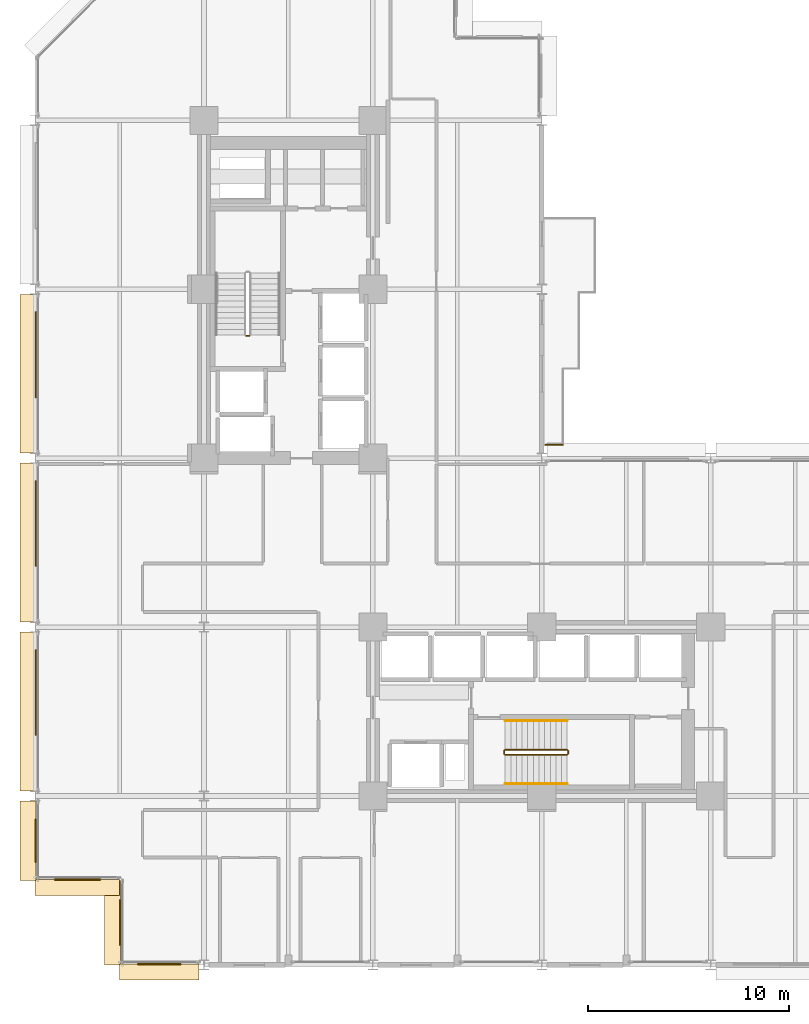
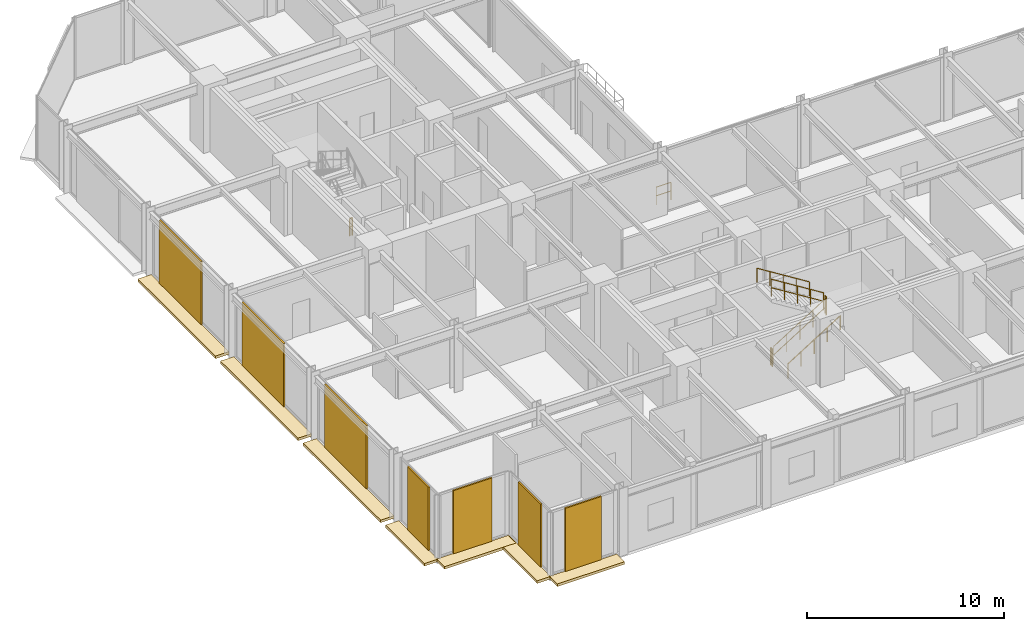
# One storey, part 23 of 25: 14 coverings, 8 railings.
"""IFC4 building model written with IfcOpenShell, lengths in metres."""

import ifcopenshell
import ifcopenshell.guid

model = None  # the IFC model being written
_history = None  # IfcOwnerHistory: only IFC2X3 demands one
_inside = {}  # id of a spatial element -> (the spatial element, [elements in it])
_under = {}  # id of a project, library or spatial element -> (it, [spatial elements below it])
_declared = {}  # id of a project -> (the project, [libraries it declares])
_typed = {}  # id of a type object -> (the type object, [elements of that type])
_made_of = {}  # id of a material, layer set ... -> (it, [elements and type objects made of it])


def new_model(schema):
    """Start an empty IFC model of exactly this schema.

    Asked for "IFC4X3", IfcOpenShell would pick the latest addendum, in which some entities
    have other attributes; the version numbers below select the first issue.
    IFC2X3 requires an IfcOwnerHistory on every rooted entity: one is made here for all.
    """
    global model, _history
    if schema == "IFC4X3":
        model = ifcopenshell.file(schema_version=(4, 3, 0, 0))
    else:
        model = ifcopenshell.file(schema=schema)
    _inside.clear()
    _under.clear()
    _declared.clear()
    _typed.clear()
    _made_of.clear()
    _history = None
    if model.schema == "IFC2X3":
        org = make("IfcOrganization", Name="unknown")
        user = make(
            "IfcPersonAndOrganization",
            ThePerson=make("IfcPerson", FamilyName="unknown"),
            TheOrganization=org,
        )
        app = make(
            "IfcApplication",
            ApplicationDeveloper=org,
            Version="unknown",
            ApplicationFullName="unknown",
            ApplicationIdentifier="unknown",
        )
        _history = make(
            "IfcOwnerHistory",
            OwningUser=user,
            OwningApplication=app,
            ChangeAction="ADDED",
            CreationDate=0,
        )
    return model


def make(cls, **values):
    """One entity of the class cls with the attributes given. An attribute that is None is left unset."""
    return model.create_entity(
        cls, **{name: value for name, value in values.items() if value is not None}
    )


def rooted(cls, **values):
    """An entity with a GlobalId (a new one), such as an element, a storey or a relation."""
    return make(cls, GlobalId=ifcopenshell.guid.new(), OwnerHistory=_history, **values)


def si_unit(unit_type, name, prefix=None):
    """IfcSIUnit, for example si_unit("LENGTHUNIT", "METRE", prefix="MILLI")."""
    return make("IfcSIUnit", UnitType=unit_type, Prefix=prefix, Name=name)


def assignment(units):
    """IfcUnitAssignment: the units of a project."""
    return None if units is None else make("IfcUnitAssignment", Units=units)


def point(xyz):
    """IfcCartesianPoint."""
    return None if xyz is None else make("IfcCartesianPoint", Coordinates=xyz)


def direction(xyz):
    """IfcDirection."""
    return None if xyz is None else make("IfcDirection", DirectionRatios=xyz)


def frame(location, z_axis=None, x_axis=None):
    """IfcAxis2Placement3D, a coordinate frame: its origin and axes. An axis left out is left unset."""
    return make(
        "IfcAxis2Placement3D",
        Location=point(location),
        Axis=direction(z_axis),
        RefDirection=direction(x_axis),
    )


def frame_2d(location, x_axis=None):
    """IfcAxis2Placement2D, a coordinate frame in the plane: its origin and x axis."""
    return make(
        "IfcAxis2Placement2D", Location=point(location), RefDirection=direction(x_axis)
    )


def origin():
    """The frame at (0, 0, 0) with its axes left unset."""
    return frame((0.0, 0.0, 0.0))


def origin_2d():
    """The frame at (0, 0) in the plane with its x axis left unset."""
    return frame_2d((0.0, 0.0))


def place(relative_to, where):
    """IfcLocalPlacement: puts the frame where relative to a parent placement (None: the world)."""
    return make(
        "IfcLocalPlacement", PlacementRelTo=relative_to, RelativePlacement=where
    )


def context(
    kind, dimensions, precision=None, world=None, true_north=None, identifier=None
):
    """IfcGeometricRepresentationContext, for example the 3D "Model" context."""
    return make(
        "IfcGeometricRepresentationContext",
        ContextIdentifier=identifier,
        ContextType=kind,
        CoordinateSpaceDimension=dimensions,
        Precision=precision,
        WorldCoordinateSystem=world,
        TrueNorth=true_north,
    )


def subcontext(parent, identifier, kind, view, scale=None):
    """IfcGeometricRepresentationSubContext, for example "Body" below "Model"."""
    return make(
        "IfcGeometricRepresentationSubContext",
        ContextIdentifier=identifier,
        ContextType=kind,
        ParentContext=parent,
        TargetScale=scale,
        TargetView=view,
    )


def project(units=None, contexts=None):
    """IfcProject with its units and contexts."""
    return rooted(
        "IfcProject",
        Name="project",
        RepresentationContexts=contexts,
        UnitsInContext=assignment(units),
    )


def spatial(cls, under=None, at=None, **own):
    """A site, building, storey or space (cls), placed at a placement, below another one or the project."""
    s = rooted(cls, ObjectPlacement=at, **own)
    if under is not None:
        _under.setdefault(under.id(), (under, []))[1].append(s)
    return s


def polyline(points):
    """IfcPolyline through the points."""
    return make("IfcPolyline", Points=[point(p) for p in points])


def profile(cls, at=None, kind="AREA", **sizes):
    """A parametric profile (cls). Its sizes go by their IFC names, for example OverallWidth=200.0."""
    return make(cls, ProfileType=kind, Position=at, **sizes)


def rectangle(**sizes):
    """IfcRectangleProfileDef."""
    return profile("IfcRectangleProfileDef", **sizes)


def circle(**sizes):
    """IfcCircleProfileDef."""
    return profile("IfcCircleProfileDef", **sizes)


def outline(outer, holes=None, kind="AREA"):
    """IfcArbitraryClosedProfileDef: a profile drawn as a closed curve; with holes, ...WithVoids."""
    if holes is None:
        return make("IfcArbitraryClosedProfileDef", ProfileType=kind, OuterCurve=outer)
    return make(
        "IfcArbitraryProfileDefWithVoids",
        ProfileType=kind,
        OuterCurve=outer,
        InnerCurves=holes,
    )


def extrude(swept, where, along, depth):
    """IfcExtrudedAreaSolid: the profile swept, set in the frame where, extruded along a direction by depth."""
    return make(
        "IfcExtrudedAreaSolid",
        SweptArea=swept,
        Position=where,
        ExtrudedDirection=direction(along),
        Depth=depth,
    )


def shape(context_of_items, identifier, shape_type, items):
    """IfcShapeRepresentation: the items that make up one representation, for example the "Body"."""
    return make(
        "IfcShapeRepresentation",
        ContextOfItems=context_of_items,
        RepresentationIdentifier=identifier,
        RepresentationType=shape_type,
        Items=items,
    )


def material(Name=None, Category=None):
    """IfcMaterial."""
    return make("IfcMaterial", Name=Name, Category=Category)


def layer(
    of_material, thickness, ventilated=None, Name=None, Category=None, Priority=None
):
    """IfcMaterialLayer: one layer of a wall or slab, of a material (None: an air gap)."""
    return make(
        "IfcMaterialLayer",
        Material=of_material,
        LayerThickness=thickness,
        IsVentilated=ventilated,
        Name=Name,
        Category=Category,
        Priority=Priority,
    )


def layer_set(layers, Name=None):
    """IfcMaterialLayerSet."""
    return make("IfcMaterialLayerSet", MaterialLayers=layers, LayerSetName=Name)


def made_of(thing, what):
    """Note that an element or type object is made of a material, layer set ...; save() writes the relation."""
    if what is not None:
        _made_of.setdefault(what.id(), (what, []))[1].append(thing)
    return thing


def type_object(cls, material=None, **own):
    """A type object (cls), such as IfcWallType, which elements share."""
    return made_of(rooted(cls, **own), material)


def element(
    cls,
    number,
    at=None,
    inside=None,
    cuts=None,
    type_object=None,
    material=None,
    context=None,
    identifier="Body",
    shape_type=None,
    held_by="IfcProductDefinitionShape",
    body=None,
    shapes=None,
    **own,
):
    """One element of the class cls, such as IfcWall. Its Tag is "e" and its number.

    at: its placement. inside: the storey or other place that contains it. cuts: it is an
    opening in that element (IfcRelVoidsElement). A single representation is given by context,
    identifier, shape_type and body (its items); several are given by shapes. held_by: the class
    of the entity that holds the representations. save() writes the other relations.
    """
    e = rooted(cls, Tag="e%d" % number, ObjectPlacement=at, **own)
    if body is not None:
        shapes = [shape(context, identifier, shape_type, body)]
    if shapes is not None:
        e.Representation = make(held_by, Representations=shapes)
    if inside is not None:
        _inside.setdefault(inside.id(), (inside, []))[1].append(e)
    if cuts is not None:
        rooted(
            "IfcRelVoidsElement", RelatingBuildingElement=cuts, RelatedOpeningElement=e
        )
    if type_object is not None:
        _typed.setdefault(type_object.id(), (type_object, []))[1].append(e)
    return made_of(e, material)


def aggregate(whole, parts):
    """IfcRelAggregates: a whole, such as a stair, and the parts it consists of."""
    return rooted("IfcRelAggregates", RelatingObject=whole, RelatedObjects=parts)


def save(model, path):
    """Write the relations noted so far, then the file.

    IfcRelAggregates (storeys below a building ...), IfcRelContainedInSpatialStructure (elements
    in a storey), IfcRelDefinesByType, IfcRelAssociatesMaterial and IfcRelDeclares: one each for
    every whole, place, type object, material and project.
    """
    for whole, parts in _under.values():
        aggregate(whole, parts)
    for where, things in _inside.values():
        rooted(
            "IfcRelContainedInSpatialStructure",
            RelatedElements=things,
            RelatingStructure=where,
        )
    for kind, things in _typed.values():
        rooted("IfcRelDefinesByType", RelatedObjects=things, RelatingType=kind)
    for what, things in _made_of.values():
        rooted("IfcRelAssociatesMaterial", RelatedObjects=things, RelatingMaterial=what)
    for by, libraries in _declared.values():
        rooted("IfcRelDeclares", RelatingContext=by, RelatedDefinitions=libraries)
    model.write(path)


model = new_model("IFC4")

# Units and contexts
model_context = context("Model", 3, precision=1e-05, world=origin(), true_north=direction((0.0, 1.0)))
body_context = subcontext(model_context, "Body", "Model", "MODEL_VIEW")
ifc_project = project(units=[si_unit("LENGTHUNIT", "METRE"), si_unit("AREAUNIT", "SQUARE_METRE"), si_unit("VOLUMEUNIT", "CUBIC_METRE"), si_unit("PLANEANGLEUNIT", "RADIAN"), si_unit("MASSUNIT", "GRAM", prefix="KILO")], contexts=[model_context])

# Site, building, storey
site_placement = place(None, origin())
site = spatial("IfcSite", under=ifc_project, at=site_placement, CompositionType="ELEMENT")
building_placement = place(site_placement, origin())
building = spatial("IfcBuilding", under=site, at=building_placement, Name="Nerrivon Quay Data Exchange", CompositionType="ELEMENT")
storey_placement = place(building_placement, frame((0.0, 0.0, 41.60009765625)))
storey = spatial("IfcBuildingStorey", under=building, at=storey_placement, Name="L09", CompositionType="ELEMENT", Elevation=41.60009765625)

# Coverings
ifc_material_1 = material(Name="Architectural terracotta ceramic", Category="masonry")
ifc_layer_1 = layer(ifc_material_1, 0.159912109375)
ifc_layer_set_1 = layer_set([ifc_layer_1], Name="Architectural terracotta ceramic")
covering_type_1 = type_object("IfcCoveringType", Name="COV-BLD-TERR", PredefinedType="CLADDING", material=ifc_layer_set_1)
covering_1_placement = place(storey_placement, frame((0.0, 0.0, -0.16015625)))
element("IfcCovering", 1, at=covering_1_placement, inside=storey, type_object=covering_type_1, Name="L09 Horizontal Terracotta SOLAR SCREEN Blade", PredefinedType="CLADDING", context=body_context, shape_type="SweptSolid", body=[
    extrude(outline(polyline([(8.14990234375, 0.0400390625), (4.199951171875, 0.0400390625), (4.199951171875, -0.75), (8.14990234375, -0.75), (8.14990234375, 0.0400390625)])), origin(), (0.0, 0.0, 1.0), 0.16015625),
])
covering_2_placement = place(storey_placement, frame((0.0, 0.0, -0.16015625)))
element("IfcCovering", 2, at=covering_2_placement, inside=storey, type_object=covering_type_1, Name="L09 Horizontal Terracotta SOLAR SCREEN Blade", PredefinedType="CLADDING", context=body_context, shape_type="SweptSolid", body=[
    extrude(outline(polyline([(4.239990234375, 0.0), (4.239990234375, 4.199951171875), (3.449951171875, 4.199951171875), (3.449951171875, 0.0), (4.239990234375, 0.0)])), origin(), (0.0, 0.0, 1.0), 0.16015625),
])
covering_3_placement = place(storey_placement, frame((0.0, 0.0, -0.16015625)))
element("IfcCovering", 3, at=covering_3_placement, inside=storey, type_object=covering_type_1, Name="L09 Horizontal Terracotta SOLAR SCREEN Blade", PredefinedType="CLADDING", context=body_context, shape_type="SweptSolid", body=[
    extrude(outline(polyline([(4.199951171875, 4.239990234375), (0.0, 4.239990234375), (0.0, 3.449951171875), (4.199951171875, 3.449951171875), (4.199951171875, 4.239990234375)])), origin(), (0.0, 0.0, 1.0), 0.16015625),
])
covering_4_placement = place(storey_placement, frame((0.0, 0.0, -0.16015625)))
element("IfcCovering", 4, at=covering_4_placement, inside=storey, type_object=covering_type_1, Name="L09 Horizontal Terracotta SOLAR SCREEN Blade", PredefinedType="CLADDING", context=body_context, shape_type="SweptSolid", body=[
    extrude(outline(polyline([(0.0400390625, 4.199951171875), (0.0400390625, 8.14990234375), (-0.75, 8.14990234375), (-0.75, 4.199951171875), (0.0400390625, 4.199951171875)])), origin(), (0.0, 0.0, 1.0), 0.16015625),
])
covering_5_placement = place(storey_placement, frame((0.0, 0.0, -0.16015625)))
element("IfcCovering", 5, at=covering_5_placement, inside=storey, type_object=covering_type_1, Name="L09 Horizontal Terracotta SOLAR SCREEN Blade", PredefinedType="CLADDING", context=body_context, shape_type="SweptSolid", body=[
    extrude(outline(polyline([(0.0400390625, 8.64990234375), (0.0400390625, 16.550048828125), (-0.75, 16.550048828125), (-0.75, 8.64990234375), (0.0400390625, 8.64990234375)])), origin(), (0.0, 0.0, 1.0), 0.16015625),
])
covering_6_placement = place(storey_placement, frame((0.0, 0.0, -0.16015625)))
element("IfcCovering", 6, at=covering_6_placement, inside=storey, type_object=covering_type_1, Name="L09 Horizontal Terracotta SOLAR SCREEN Blade", PredefinedType="CLADDING", context=body_context, shape_type="SweptSolid", body=[
    extrude(outline(polyline([(0.0400390625, 17.050048828125), (0.0400390625, 24.949951171875), (-0.75, 24.949951171875), (-0.75, 17.050048828125), (0.0400390625, 17.050048828125)])), origin(), (0.0, 0.0, 1.0), 0.16015625),
])
covering_7_placement = place(storey_placement, frame((0.0, 0.0, -0.16015625)))
element("IfcCovering", 7, at=covering_7_placement, inside=storey, type_object=covering_type_1, Name="L09 Horizontal Terracotta SOLAR SCREEN Blade", PredefinedType="CLADDING", context=body_context, shape_type="SweptSolid", body=[
    extrude(outline(polyline([(0.0400390625, 25.449951171875), (0.0400390625, 33.35009765625), (-0.75, 33.35009765625), (-0.75, 25.449951171875), (0.0400390625, 25.449951171875)])), origin(), (0.0, 0.0, 1.0), 0.16015625),
])
ifc_layer_2 = layer(ifc_material_1, 0.090087890625)
ifc_layer_set_2 = layer_set([ifc_layer_2], Name="Architectural terracotta ceramic")
covering_type_2 = type_object("IfcCoveringType", Name="COV-SCR-TERR", PredefinedType="CLADDING", material=ifc_layer_set_2)
covering_8_placement = place(storey_placement, frame((6.175048828125, 0.044921875, 0.0), z_axis=(0.0, 0.0, 1.0), x_axis=(-1.0, 0.0, 0.0)))
element("IfcCovering", 8, at=covering_8_placement, inside=storey, type_object=covering_type_2, Name="L09 Perforated Terracotta SOLAR SCREEN Cassette", PredefinedType="CLADDING", context=body_context, shape_type="SweptSolid", body=[
    extrude(rectangle(XDim=2.133056640625, YDim=0.090087890625, at=origin_2d()), origin(), (0.0, 0.0, 1.0), 3.925048828125),
])
for number, where, z_axis, x_axis, name in (
    (9, (4.2451171875, 2.10009765625, 0.0), (0.0, 0.0, 1.0), (0.0, 1.0, 0.0), "L09 Perforated Terracotta SOLAR SCREEN Cassette"),
    (10, (2.10009765625, 4.2451171875, 0.0), (0.0, 0.0, 1.0), (-1.0, 0.0, 0.0), "L09 Perforated Terracotta SOLAR SCREEN Cassette"),
):
    element("IfcCovering", number, at=place(storey_placement, frame(where, z_axis=z_axis, x_axis=x_axis)), inside=storey, type_object=covering_type_2, Name=name, PredefinedType="CLADDING", context=body_context, shape_type="SweptSolid", body=[
        extrude(rectangle(XDim=2.26806640625, YDim=0.090087890625, at=origin_2d()), origin(), (0.0, 0.0, 1.0), 3.925048828125),
    ])
covering_9_placement = place(storey_placement, frame((0.044921875, 6.175048828125, 0.0), z_axis=(0.0, 0.0, 1.0), x_axis=(0.0, 1.0, 0.0)))
element("IfcCovering", 11, at=covering_9_placement, inside=storey, type_object=covering_type_2, Name="L09 Perforated Terracotta SOLAR SCREEN Cassette", PredefinedType="CLADDING", context=body_context, shape_type="SweptSolid", body=[
    extrude(rectangle(XDim=2.133056640625, YDim=0.090087890625, at=origin_2d()), origin(), (0.0, 0.0, 1.0), 3.925048828125),
])
for number, where, z_axis, x_axis, name in (
    (12, (0.044921875, 13.548095703125, 0.0), (0.0, 0.0, 1.0), (0.0, 1.0, 0.0), "L09 Perforated Terracotta SOLAR SCREEN Cassette"),
    (13, (0.044921875, 21.947998046875, 0.0), (0.0, 0.0, 1.0), (0.0, 1.0, 0.0), "L09 Perforated Terracotta SOLAR SCREEN Cassette"),
    (14, (0.044921875, 30.347900390625, 0.0), (0.0, 0.0, 1.0), (0.0, 1.0, 0.0), "L09 Perforated Terracotta SOLAR SCREEN Cassette"),
):
    element("IfcCovering", number, at=place(storey_placement, frame(where, z_axis=z_axis, x_axis=x_axis)), inside=storey, type_object=covering_type_2, Name=name, PredefinedType="CLADDING", context=body_context, shape_type="SweptSolid", body=[
        extrude(rectangle(XDim=4.26611328125, YDim=0.090087890625, at=origin_2d()), origin(), (0.0, 0.0, 1.0), 3.925048828125),
    ])

# Railings
ifc_material_2 = material(Name="Steel Grade C350L0 (350 MPa)", Category="steel")
railing_type_1 = type_object("IfcRailingType", Name="RAIL-GUARD-GR2", PredefinedType="BALUSTRADE", material=ifc_material_2)
railing_1_placement = place(storey_placement, frame((26.239990234375, 25.860107421875, 0.0)))
element("IfcRailing", 15, at=railing_1_placement, inside=storey, type_object=railing_type_1, Name="L09 Verandah Balcony Guard 1.2 1", PredefinedType="BALUSTRADE", context=body_context, shape_type="SweptSolid", body=[
    extrude(circle(Radius=0.02392578125, at=origin_2d()), frame((0.0, 0.0, 1.09619140625), z_axis=(-1.0, 0.0, 0.0), x_axis=(0.0, -1.0, 0.0)), (0.0, 0.0, 1.0), 0.860107421875),
    extrude(circle(Radius=0.02392578125, at=origin_2d()), frame((0.0, 0.0, 0.56005859375), z_axis=(-1.0, 0.0, 0.0), x_axis=(0.0, -1.0, 0.0)), (0.0, 0.0, 1.0), 0.860107421875),
    extrude(circle(Radius=0.02099609375, at=origin_2d()), origin(), (0.0, 0.0, 1.0), 1.072021484375),
    extrude(circle(Radius=0.02099609375, at=origin_2d()), frame((-0.860107421875, 0.0, 0.0)), (0.0, 0.0, 1.0), 1.072021484375),
])
railing_type_2 = type_object("IfcRailingType", Name="RAIL-HAND-HR1", PredefinedType="HANDRAIL", material=ifc_material_2)
railing_2_placement = place(storey_placement, frame((23.3798828125, 9.0, 0.1748046875)))
element("IfcRailing", 16, at=railing_2_placement, inside=storey, type_object=railing_type_2, Name="L09 ST02 stair handrail 1", PredefinedType="HANDRAIL", context=body_context, shape_type="SweptSolid", body=[
    extrude(circle(Radius=0.02392578125, at=origin_2d()), frame((0.0, 0.0, 0.8759765625), z_axis=(0.847998304005, 0.0, 0.529998940003), x_axis=(0.0, 1.0, 0.0)), (0.0, 0.0, 1.0), 3.632080078125),
    extrude(circle(Radius=0.02099609375, at=origin_2d()), origin(), (0.0, 0.0, 1.0), 0.851806640625),
    extrude(circle(Radius=0.02099609375, at=origin_2d()), frame((0.77001953125, 0.0, 0.481201171875)), (0.0, 0.0, 1.0), 0.851806640625),
    extrude(circle(Radius=0.02099609375, at=origin_2d()), frame((1.5400390625, 0.0, 0.96240234375)), (0.0, 0.0, 1.0), 0.851806640625),
    extrude(circle(Radius=0.02099609375, at=origin_2d()), frame((2.31005859375, 0.0, 1.44384765625)), (0.0, 0.0, 1.0), 0.851806640625),
    extrude(circle(Radius=0.02099609375, at=origin_2d()), frame((3.080078125, 0.0, 1.925048828125)), (0.0, 0.0, 1.0), 0.851806640625),
])
railing_3_placement = place(storey_placement, frame((26.4599609375, 12.14990234375, 2.27490234375)))
element("IfcRailing", 17, at=railing_3_placement, inside=storey, type_object=railing_type_2, Name="L09 ST02 stair handrail 2", PredefinedType="HANDRAIL", context=body_context, shape_type="SweptSolid", body=[
    extrude(circle(Radius=0.02392578125, at=origin_2d()), frame((0.0, 0.0, 0.8759765625), z_axis=(-0.847998304005, 0.0, 0.529998940003), x_axis=(0.0, -1.0, 0.0)), (0.0, 0.0, 1.0), 3.632080078125),
    extrude(circle(Radius=0.02099609375, at=origin_2d()), origin(), (0.0, 0.0, 1.0), 0.851806640625),
    extrude(circle(Radius=0.02099609375, at=origin_2d()), frame((-0.77001953125, 0.0, 0.481201171875)), (0.0, 0.0, 1.0), 0.851806640625),
    extrude(circle(Radius=0.02099609375, at=origin_2d()), frame((-1.5400390625, 0.0, 0.96240234375)), (0.0, 0.0, 1.0), 0.851806640625),
    extrude(circle(Radius=0.02099609375, at=origin_2d()), frame((-2.31005859375, 0.0, 1.44384765625)), (0.0, 0.0, 1.0), 0.851806640625),
    extrude(circle(Radius=0.02099609375, at=origin_2d()), frame((-3.080078125, 0.0, 1.925048828125)), (0.0, 0.0, 1.0), 0.851806640625),
])
railing_type_3 = type_object("IfcRailingType", Name="RAIL-STAIR-GR1", PredefinedType="BALUSTRADE", material=ifc_material_2)
railing_4_placement = place(storey_placement, frame((10.64990234375, 31.280029296875, 0.0)))
element("IfcRailing", 18, at=railing_4_placement, inside=storey, type_object=railing_type_3, Name="L09 ST01 stair guard 4", PredefinedType="BALUSTRADE", context=body_context, shape_type="SweptSolid", body=[
    extrude(circle(Radius=0.02392578125, at=origin_2d()), frame((0.0, 0.0, 1.076171875), z_axis=(-1.0, 0.0, 0.0), x_axis=(0.0, -1.0, 0.0)), (0.0, 0.0, 1.0), 0.14990234375),
    extrude(circle(Radius=0.02392578125, at=origin_2d()), frame((0.0, 0.0, 0.550048828125), z_axis=(-1.0, 0.0, 0.0), x_axis=(0.0, -1.0, 0.0)), (0.0, 0.0, 1.0), 0.14990234375),
    extrude(circle(Radius=0.02099609375, at=origin_2d()), origin(), (0.0, 0.0, 1.0), 1.052001953125),
    extrude(circle(Radius=0.02099609375, at=origin_2d()), frame((-0.14990234375, 0.0, 0.0)), (0.0, 0.0, 1.0), 1.052001953125),
])
railing_5_placement = place(storey_placement, frame((23.3798828125, 10.449951171875, 0.1748046875)))
element("IfcRailing", 19, at=railing_5_placement, inside=storey, type_object=railing_type_3, Name="L09 ST02 stair guard 1", PredefinedType="BALUSTRADE", context=body_context, shape_type="SweptSolid", body=[
    extrude(circle(Radius=0.02392578125, at=origin_2d()), frame((0.0, 0.0, 1.076171875), z_axis=(0.847998304005, 0.0, 0.529998940003), x_axis=(0.0, 1.0, 0.0)), (0.0, 0.0, 1.0), 3.632080078125),
    extrude(circle(Radius=0.02392578125, at=origin_2d()), frame((0.0, 0.0, 0.550048828125), z_axis=(0.847998304005, 0.0, 0.529998940003), x_axis=(0.0, 1.0, 0.0)), (0.0, 0.0, 1.0), 3.632080078125),
    extrude(circle(Radius=0.02099609375, at=origin_2d()), origin(), (0.0, 0.0, 1.0), 1.052001953125),
    extrude(circle(Radius=0.02099609375, at=origin_2d()), frame((0.77001953125, 0.0, 0.481201171875)), (0.0, 0.0, 1.0), 1.052001953125),
    extrude(circle(Radius=0.02099609375, at=origin_2d()), frame((1.5400390625, 0.0, 0.96240234375)), (0.0, 0.0, 1.0), 1.052001953125),
    extrude(circle(Radius=0.02099609375, at=origin_2d()), frame((2.31005859375, 0.0, 1.44384765625)), (0.0, 0.0, 1.0), 1.052001953125),
    extrude(circle(Radius=0.02099609375, at=origin_2d()), frame((3.080078125, 0.0, 1.925048828125)), (0.0, 0.0, 1.0), 1.052001953125),
])
railing_6_placement = place(storey_placement, frame((26.510009765625, 10.5, 2.099853515625)))
element("IfcRailing", 20, at=railing_6_placement, inside=storey, type_object=railing_type_3, Name="L09 ST02 stair guard 2", PredefinedType="BALUSTRADE", context=body_context, shape_type="SweptSolid", body=[
    extrude(circle(Radius=0.02392578125, at=origin_2d()), frame((0.0, 0.0, 1.076171875), z_axis=(0.0, 1.0, 0.0), x_axis=(-1.0, 0.0, 0.0)), (0.0, 0.0, 1.0), 0.14990234375),
    extrude(circle(Radius=0.02392578125, at=origin_2d()), frame((0.0, 0.0, 0.550048828125), z_axis=(0.0, 1.0, 0.0), x_axis=(-1.0, 0.0, 0.0)), (0.0, 0.0, 1.0), 0.14990234375),
    extrude(circle(Radius=0.02099609375, at=origin_2d()), origin(), (0.0, 0.0, 1.0), 1.052001953125),
    extrude(circle(Radius=0.02099609375, at=origin_2d()), frame((0.0, 0.14990234375, 0.0)), (0.0, 0.0, 1.0), 1.052001953125),
])
railing_7_placement = place(storey_placement, frame((26.4599609375, 10.699951171875, 2.27490234375)))
element("IfcRailing", 21, at=railing_7_placement, inside=storey, type_object=railing_type_3, Name="L09 ST02 stair guard 3", PredefinedType="BALUSTRADE", context=body_context, shape_type="SweptSolid", body=[
    extrude(circle(Radius=0.02392578125, at=origin_2d()), frame((0.0, 0.0, 1.076171875), z_axis=(-0.847998304005, 0.0, 0.529998940003), x_axis=(0.0, -1.0, 0.0)), (0.0, 0.0, 1.0), 3.632080078125),
    extrude(circle(Radius=0.02392578125, at=origin_2d()), frame((0.0, 0.0, 0.550048828125), z_axis=(-0.847998304005, 0.0, 0.529998940003), x_axis=(0.0, -1.0, 0.0)), (0.0, 0.0, 1.0), 3.632080078125),
    extrude(circle(Radius=0.02099609375, at=origin_2d()), origin(), (0.0, 0.0, 1.0), 1.052001953125),
    extrude(circle(Radius=0.02099609375, at=origin_2d()), frame((-0.77001953125, 0.0, 0.481201171875)), (0.0, 0.0, 1.0), 1.052001953125),
    extrude(circle(Radius=0.02099609375, at=origin_2d()), frame((-1.5400390625, 0.0, 0.96240234375)), (0.0, 0.0, 1.0), 1.052001953125),
    extrude(circle(Radius=0.02099609375, at=origin_2d()), frame((-2.31005859375, 0.0, 1.44384765625)), (0.0, 0.0, 1.0), 1.052001953125),
    extrude(circle(Radius=0.02099609375, at=origin_2d()), frame((-3.080078125, 0.0, 1.925048828125)), (0.0, 0.0, 1.0), 1.052001953125),
])
railing_8_placement = place(storey_placement, frame((23.330078125, 10.5, 0.0)))
element("IfcRailing", 22, at=railing_8_placement, inside=storey, type_object=railing_type_3, Name="L09 ST02 stair guard 4", PredefinedType="BALUSTRADE", context=body_context, shape_type="SweptSolid", body=[
    extrude(circle(Radius=0.02392578125, at=origin_2d()), frame((0.0, 0.0, 1.076171875), z_axis=(0.0, 1.0, 0.0), x_axis=(-1.0, 0.0, 0.0)), (0.0, 0.0, 1.0), 0.14990234375),
    extrude(circle(Radius=0.02392578125, at=origin_2d()), frame((0.0, 0.0, 0.550048828125), z_axis=(0.0, 1.0, 0.0), x_axis=(-1.0, 0.0, 0.0)), (0.0, 0.0, 1.0), 0.14990234375),
    extrude(circle(Radius=0.02099609375, at=origin_2d()), origin(), (0.0, 0.0, 1.0), 1.052001953125),
    extrude(circle(Radius=0.02099609375, at=origin_2d()), frame((0.0, 0.14990234375, 0.0)), (0.0, 0.0, 1.0), 1.052001953125),
])

save(model, "model.ifc")
